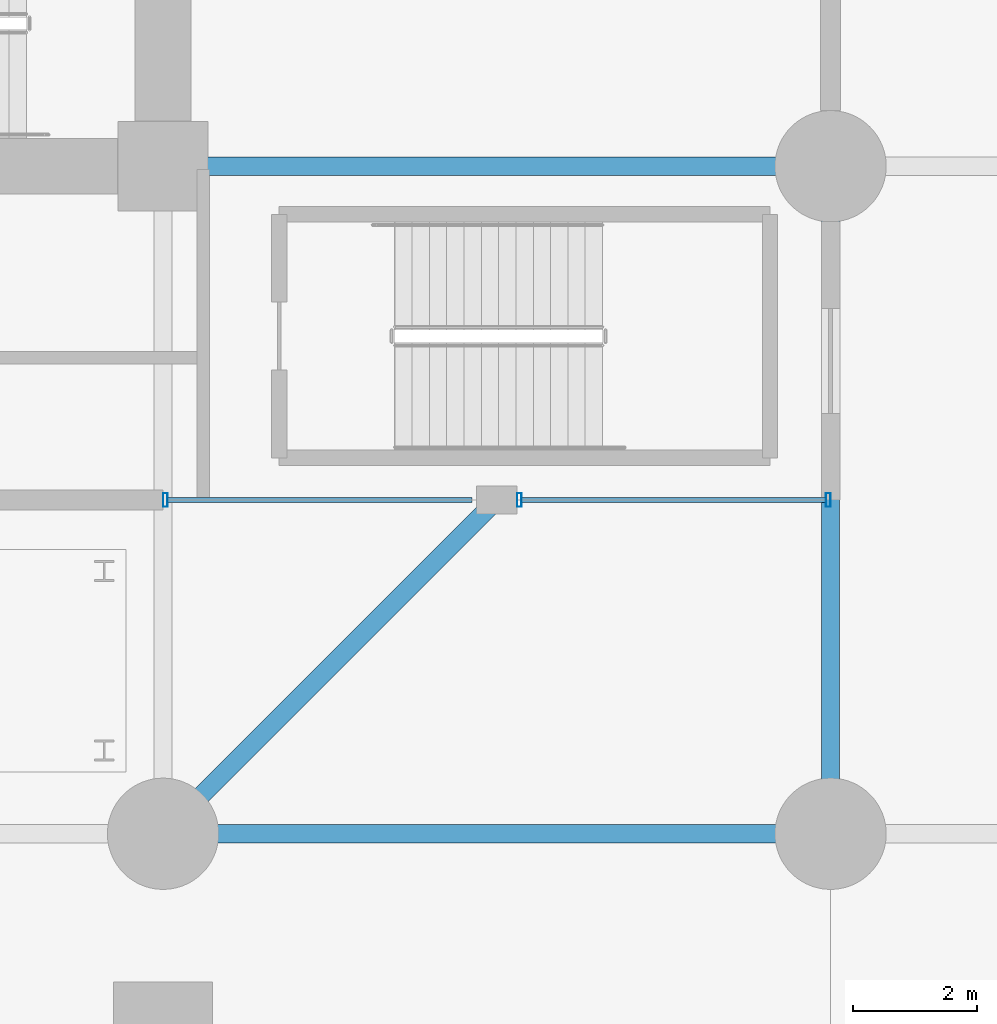
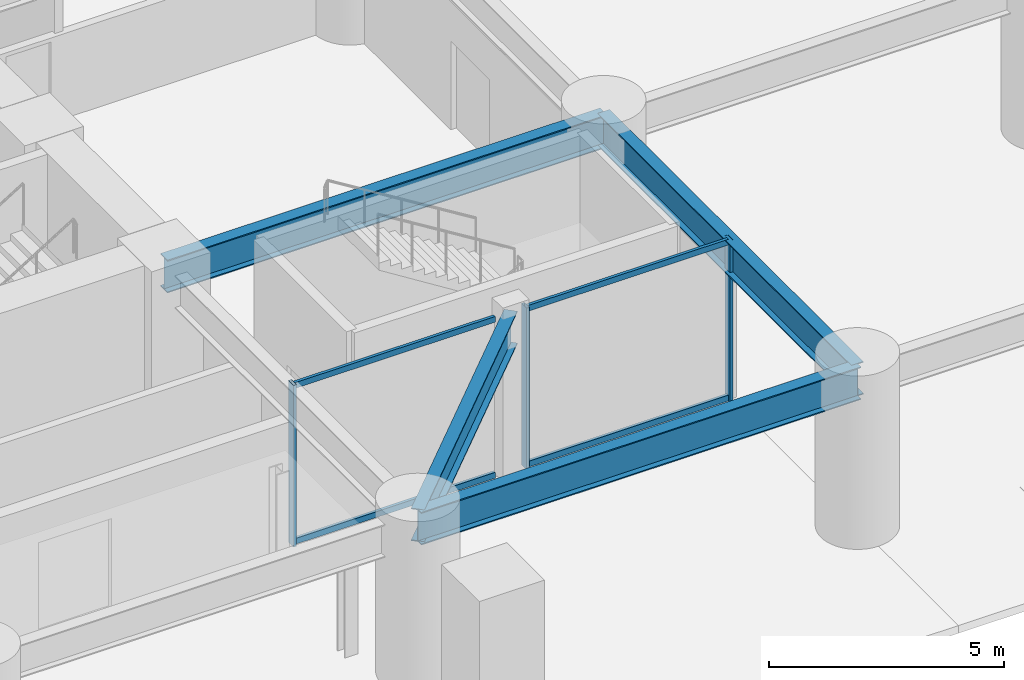
# One storey, part 10 of 29: 7 members, 4 beams, 1 element without a shape of its own.
"""IFC4 building model written with IfcOpenShell, lengths in metres."""

from ifc_helpers import new_model, si_unit, direction, frame, origin, origin_2d, place, context, subcontext, project, spatial, hollow_rectangle, i_section, extrude, material, layer, layer_set, material_profile, profile_set, type_object, element, aggregate, save


model = new_model("IFC4")

# Units and contexts
model_context = context("Model", 3, precision=1e-05, world=origin(), true_north=direction((0.0, 1.0)))
body_context = subcontext(model_context, "Body", "Model", "MODEL_VIEW")
ifc_project = project(units=[si_unit("LENGTHUNIT", "METRE"), si_unit("AREAUNIT", "SQUARE_METRE"), si_unit("VOLUMEUNIT", "CUBIC_METRE"), si_unit("PLANEANGLEUNIT", "RADIAN"), si_unit("MASSUNIT", "GRAM", prefix="KILO")], contexts=[model_context])

# Site, building, storey
site_placement = place(None, origin())
site = spatial("IfcSite", under=ifc_project, at=site_placement, CompositionType="ELEMENT")
building_placement = place(site_placement, origin())
building = spatial("IfcBuilding", under=site, at=building_placement, Name="Surkhivell Harbour Commons", CompositionType="ELEMENT")
storey_placement = place(building_placement, origin())
storey = spatial("IfcBuildingStorey", under=building, at=storey_placement, Name="L00", CompositionType="ELEMENT", Elevation=0.0)

# Beams
ifc_material_1 = material(Name="Steel S460", Category="steel")
ifc_material_profile_1 = material_profile(ifc_material_1, i_section(OverallWidth=0.2939453125, OverallDepth=0.85107421875, WebThickness=0.01611328125, FlangeThickness=0.02685546875, at=origin_2d()), Name="UB838x292x226")
ifc_profile_set_1 = profile_set([ifc_material_profile_1], Name="Steel S460")
beam_type = type_object("IfcBeamType", Name="BM-SPN-838", PredefinedType="SPANDREL", material=ifc_profile_set_1)
beam_placement = place(storey_placement, frame((10.800048828125, -21.60009765625, 3.7744140625), z_axis=(0.707090796496, 0.707122765516, 0.0), x_axis=(-0.707122765516, 0.707090796496, 0.0)))
element("IfcBeam", 1, at=beam_placement, inside=storey, type_object=beam_type, Name="L00 Framing Beam (10.8,-21.6)", PredefinedType="SPANDREL", context=body_context, shape_type="SweptSolid", body=[
    extrude(i_section(OverallWidth=0.2939453125, OverallDepth=0.85107421875, WebThickness=0.01611328125, FlangeThickness=0.02685546875, at=origin_2d()), origin(), (0.0, 0.0, 1.0), 7.63671875),
])
for number, where, z_axis, x_axis, name in (
    (2, (10.800048828125, -21.60009765625, 3.7744140625), (1.0, 0.0, 0.0), (0.0, 1.0, 0.0), "L00 Framing Beam (10.8,-21.6)"),
    (3, (10.800048828125, -10.800048828125, 3.7744140625), (1.0, 0.0, 0.0), (0.0, 1.0, 0.0), "L00 Framing Beam (10.8,-10.8)"),
    (4, (21.60009765625, -21.60009765625, 3.7744140625), (0.0, 1.0, 0.0), (-1.0, 0.0, 0.0), "L00 Framing Beam (21.6,-21.6)"),
):
    element("IfcBeam", number, at=place(storey_placement, frame(where, z_axis=z_axis, x_axis=x_axis)), inside=storey, type_object=beam_type, Name=name, PredefinedType="SPANDREL", context=body_context, shape_type="SweptSolid", body=[
        extrude(i_section(OverallWidth=0.2939453125, OverallDepth=0.85107421875, WebThickness=0.01611328125, FlangeThickness=0.02685546875, at=origin_2d()), origin(), (0.0, 0.0, 1.0), 10.800048828125),
    ])

# Curtain wall, members
ifc_material_2 = material(Name="Anodised pale-metal aluminium and insulated glazing", Category="aluminium")
ifc_layer = layer(ifc_material_2, 0.239990234375)
ifc_layer_set = layer_set([ifc_layer], Name="Anodised pale-metal aluminium and insulated glazing")
curtain_wall_type = type_object("IfcCurtainWallType", Name="CW-SYS-POD", PredefinedType="NOTDEFINED", material=ifc_layer_set)
curtain_wall_placement = place(storey_placement, origin())
curtain_wall = element("IfcCurtainWall", 5, at=curtain_wall_placement, inside=storey, type_object=curtain_wall_type, Name="L00 Curtain Wall CW-L00-P02", PredefinedType="NOTDEFINED")
ifc_material_3 = material(Name="Anodised pale-metal aluminium alloy 6063-T6", Category="aluminium")
ifc_material_profile_2 = material_profile(ifc_material_3, hollow_rectangle(XDim=0.074951171875, YDim=0.219970703125, WallThickness=0.00390625, at=origin_2d()), Name="ALU-MULL-75x220")
ifc_profile_set_2 = profile_set([ifc_material_profile_2], Name="Anodised pale-metal aluminium alloy 6063-T6")
member_type_1 = type_object("IfcMemberType", Name="CWM-220", PredefinedType="MULLION", material=ifc_profile_set_2)
member_1_placement = place(storey_placement, frame((10.83740234375, -16.199951171875, 0.0), z_axis=(0.0, 0.0, 1.0), x_axis=(1.0, 0.0, 0.0)))
member_1 = element("IfcMember", 6, at=member_1_placement, type_object=member_type_1, Name="CW-POD mullion 1", PredefinedType="MULLION", context=body_context, shape_type="SweptSolid", body=[
    extrude(hollow_rectangle(XDim=0.074951171875, YDim=0.219970703125, WallThickness=0.00390625, at=origin_2d()), origin(), (0.0, 0.0, 1.0), 4.199951171875),
])
member_2_placement = place(storey_placement, frame((16.564453125, -16.199951171875, 0.0), z_axis=(0.0, 0.0, 1.0), x_axis=(1.0, 0.0, 0.0)))
member_2 = element("IfcMember", 7, at=member_2_placement, type_object=member_type_1, Name="CW-POD mullion 2", PredefinedType="MULLION", context=body_context, shape_type="SweptSolid", body=[
    extrude(hollow_rectangle(XDim=0.074951171875, YDim=0.219970703125, WallThickness=0.00390625, at=origin_2d()), origin(), (0.0, 0.0, 1.0), 4.199951171875),
])
member_3_placement = place(storey_placement, frame((21.5625, -16.199951171875, 0.0), z_axis=(0.0, 0.0, 1.0), x_axis=(1.0, 0.0, 0.0)))
member_3 = element("IfcMember", 8, at=member_3_placement, type_object=member_type_1, Name="CW-POD mullion 3", PredefinedType="MULLION", context=body_context, shape_type="SweptSolid", body=[
    extrude(hollow_rectangle(XDim=0.074951171875, YDim=0.219970703125, WallThickness=0.00390625, at=origin_2d()), origin(), (0.0, 0.0, 1.0), 4.199951171875),
])
ifc_material_profile_3 = material_profile(ifc_material_3, hollow_rectangle(XDim=0.074951171875, YDim=0.14990234375, WallThickness=0.00341796875, at=origin_2d()), Name="ALU-TRAN-75x150")
ifc_profile_set_3 = profile_set([ifc_material_profile_3], Name="Anodised pale-metal aluminium alloy 6063-T6")
member_type_2 = type_object("IfcMemberType", Name="CWT-150", PredefinedType="USERDEFINED", material=ifc_profile_set_3)
member_4_placement = place(storey_placement, frame((10.875, -16.199951171875, 0.074951171875), z_axis=(1.0, 0.0, 0.0), x_axis=(0.0, 1.0, 0.0)))
member_4 = element("IfcMember", 9, at=member_4_placement, type_object=member_type_2, Name="CW-POD transom 1.1", ObjectType="TRANSOM", PredefinedType="USERDEFINED", context=body_context, shape_type="SweptSolid", body=[
    extrude(hollow_rectangle(XDim=0.074951171875, YDim=0.14990234375, WallThickness=0.00341796875, at=origin_2d()), origin(), (0.0, 0.0, 1.0), 4.923095703125),
])
member_5_placement = place(storey_placement, frame((10.875, -16.199951171875, 4.125), z_axis=(1.0, 0.0, 0.0), x_axis=(0.0, 1.0, 0.0)))
member_5 = element("IfcMember", 10, at=member_5_placement, type_object=member_type_2, Name="CW-POD transom 1.2", ObjectType="TRANSOM", PredefinedType="USERDEFINED", context=body_context, shape_type="SweptSolid", body=[
    extrude(hollow_rectangle(XDim=0.074951171875, YDim=0.14990234375, WallThickness=0.00341796875, at=origin_2d()), origin(), (0.0, 0.0, 1.0), 4.923095703125),
])
member_6_placement = place(storey_placement, frame((16.60205078125, -16.199951171875, 0.074951171875), z_axis=(1.0, 0.0, 0.0), x_axis=(0.0, 1.0, 0.0)))
member_6 = element("IfcMember", 11, at=member_6_placement, type_object=member_type_2, Name="CW-POD transom 2.1", ObjectType="TRANSOM", PredefinedType="USERDEFINED", context=body_context, shape_type="SweptSolid", body=[
    extrude(hollow_rectangle(XDim=0.074951171875, YDim=0.14990234375, WallThickness=0.00341796875, at=origin_2d()), origin(), (0.0, 0.0, 1.0), 4.9228515625),
])
member_7_placement = place(storey_placement, frame((16.60205078125, -16.199951171875, 4.125), z_axis=(1.0, 0.0, 0.0), x_axis=(0.0, 1.0, 0.0)))
member_7 = element("IfcMember", 12, at=member_7_placement, type_object=member_type_2, Name="CW-POD transom 2.2", ObjectType="TRANSOM", PredefinedType="USERDEFINED", context=body_context, shape_type="SweptSolid", body=[
    extrude(hollow_rectangle(XDim=0.074951171875, YDim=0.14990234375, WallThickness=0.00341796875, at=origin_2d()), origin(), (0.0, 0.0, 1.0), 4.9228515625),
])
aggregate(curtain_wall, [member_1, member_4, member_5, member_2, member_3, member_6, member_7])

save(model, "model.ifc")
